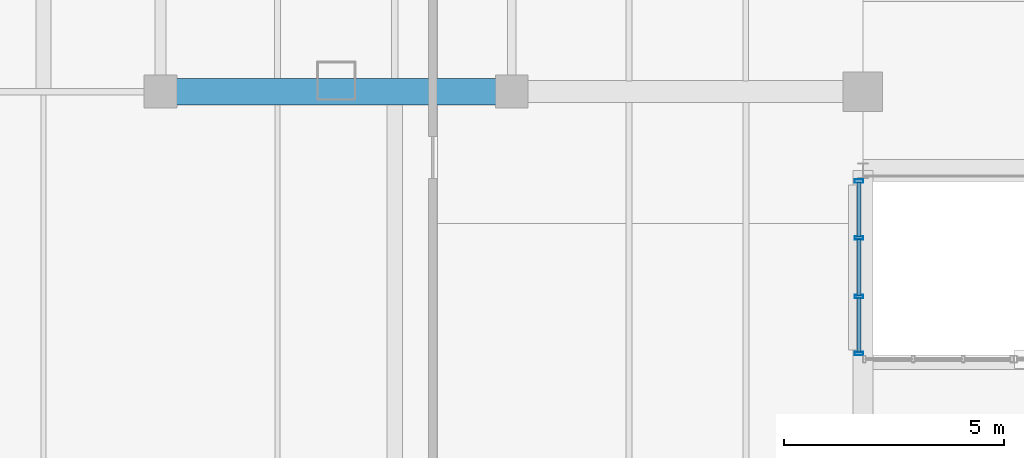
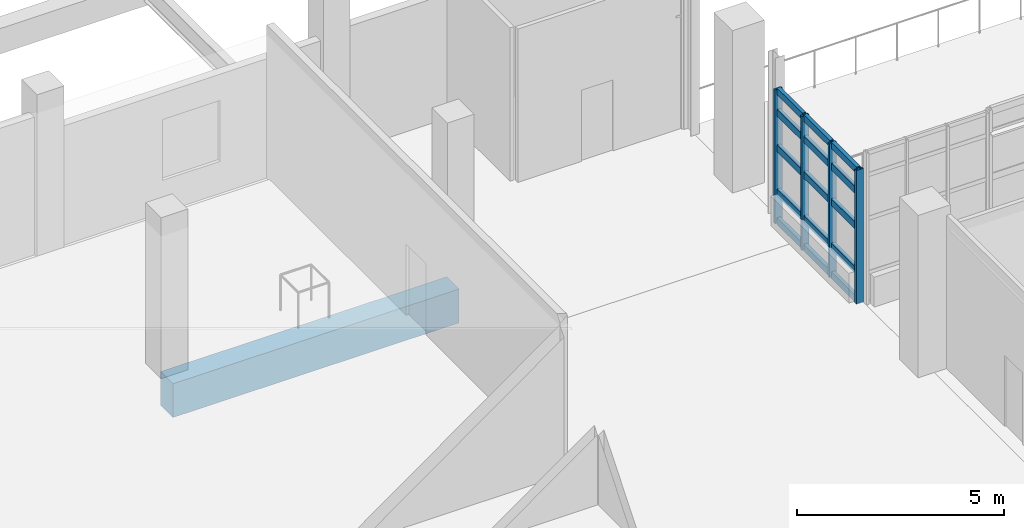
# One storey, part 27 of 127: 19 members, 1 beam, 1 element without a shape of its own.
"""IFC4 building model written with IfcOpenShell, lengths in metres."""

from ifc_helpers import new_model, si_unit, derived_unit, direction, frame, origin, origin_2d, place, context, subcontext, project, spatial, rectangle, hollow_rectangle, extrude, material, layer, layer_set, material_profile, profile_set, type_object, element, aggregate, save


model = new_model("IFC4")

# Units and contexts
model_context = context("Model", 3, precision=1e-05, world=origin(), true_north=direction((0.0, 1.0)))
body_context = subcontext(model_context, "Body", "Model", "MODEL_VIEW")
ifc_project = project(units=[si_unit("LENGTHUNIT", "METRE"), si_unit("AREAUNIT", "SQUARE_METRE"), si_unit("VOLUMEUNIT", "CUBIC_METRE"), si_unit("PLANEANGLEUNIT", "RADIAN"), si_unit("MASSUNIT", "GRAM", prefix="KILO"), derived_unit("THERMALTRANSMITTANCEUNIT", [(si_unit("POWERUNIT", "WATT"), 1), (si_unit("LENGTHUNIT", "METRE"), -2), (si_unit("THERMODYNAMICTEMPERATUREUNIT", "KELVIN"), -1)])], contexts=[model_context])

# Site, building, storey
site_placement = place(None, origin())
site = spatial("IfcSite", under=ifc_project, at=site_placement, CompositionType="ELEMENT")
building_placement = place(site_placement, origin())
building = spatial("IfcBuilding", under=site, at=building_placement, Name="Nallur Shell Playhouse", CompositionType="ELEMENT")
storey_placement = place(building_placement, frame((0.0, 0.0, 5.39990234375)))
storey = spatial("IfcBuildingStorey", under=building, at=storey_placement, Name="L02", CompositionType="ELEMENT", Elevation=5.39990234375)

# Beam
ifc_material_1 = material(Name="Concrete M40", Category="concrete")
ifc_material_profile_1 = material_profile(ifc_material_1, rectangle(XDim=0.60009765625, YDim=1.0, at=origin_2d()), Name="RC 600x1000")
ifc_profile_set_1 = profile_set([ifc_material_profile_1], Name="Concrete M40")
beam_type = type_object("IfcBeamType", Name="BM-RC-600x1000", PredefinedType="BEAM", material=ifc_profile_set_1)
beam_placement = place(storey_placement, frame((24.0, 50.0, -0.77978515625), z_axis=(1.0, 0.0, 0.0), x_axis=(0.0, 1.0, 0.0)))
element("IfcBeam", 1, at=beam_placement, inside=storey, type_object=beam_type, Name="L02 girder X-F-348", PredefinedType="BEAM", context=body_context, shape_type="SweptSolid", body=[
    extrude(rectangle(XDim=0.60009765625, YDim=1.0, at=origin_2d()), origin(), (0.0, 0.0, 1.0), 8.0),
])

# Curtain wall, members
ifc_material_2 = material(Name="Anodised Aluminium Double-Glazed Facade System", Category="aluminium")
ifc_layer = layer(ifc_material_2, 0.159912109375)
ifc_layer_set = layer_set([ifc_layer], Name="Anodised Aluminium Double-Glazed Facade System")
curtain_wall_type = type_object("IfcCurtainWallType", Name="CW-UNIT-06", PredefinedType="NOTDEFINED", material=ifc_layer_set)
curtain_wall_placement = place(storey_placement, origin())
curtain_wall = element("IfcCurtainWall", 2, at=curtain_wall_placement, inside=storey, type_object=curtain_wall_type, Name="Unitised curtain wall CW-006 (L02)", PredefinedType="NOTDEFINED")
ifc_material_3 = material(Name="Aluminium Alloy 6063-T6 Mullion", Category="aluminium")
ifc_material_profile_2 = material_profile(ifc_material_3, hollow_rectangle(XDim=0.074951171875, YDim=0.199951171875, WallThickness=0.0048828125, at=origin_2d()), Name="ALU 75x200x5")
ifc_profile_set_2 = profile_set([ifc_material_profile_2], Name="Aluminium Alloy 6063-T6 Mullion")
member_type_1 = type_object("IfcMemberType", Name="MB-CW-MUL180", PredefinedType="MULLION", material=ifc_profile_set_2)
member_1_placement = place(storey_placement, frame((39.909912109375, 47.96240234375, -0.014892578125), z_axis=(0.0, 0.0, 1.0), x_axis=(0.0, -1.0, 0.0)))
member_1 = element("IfcMember", 3, at=member_1_placement, type_object=member_type_1, Name="CW-06 mullion 1", PredefinedType="MULLION", context=body_context, shape_type="SweptSolid", body=[
    extrude(hollow_rectangle(XDim=0.074951171875, YDim=0.199951171875, WallThickness=0.0048828125, at=origin_2d()), origin(), (0.0, 0.0, 1.0), 3.9541015625),
])
member_2_placement = place(storey_placement, frame((39.909912109375, 46.666748046875, -0.014892578125), z_axis=(0.0, 0.0, 1.0), x_axis=(0.0, -1.0, 0.0)))
member_2 = element("IfcMember", 4, at=member_2_placement, type_object=member_type_1, Name="CW-06 mullion 2", PredefinedType="MULLION", context=body_context, shape_type="SweptSolid", body=[
    extrude(hollow_rectangle(XDim=0.074951171875, YDim=0.199951171875, WallThickness=0.0048828125, at=origin_2d()), origin(), (0.0, 0.0, 1.0), 3.9541015625),
])
member_3_placement = place(storey_placement, frame((39.909912109375, 45.333251953125, -0.014892578125), z_axis=(0.0, 0.0, 1.0), x_axis=(0.0, -1.0, 0.0)))
member_3 = element("IfcMember", 5, at=member_3_placement, type_object=member_type_1, Name="CW-06 mullion 3", PredefinedType="MULLION", context=body_context, shape_type="SweptSolid", body=[
    extrude(hollow_rectangle(XDim=0.074951171875, YDim=0.199951171875, WallThickness=0.0048828125, at=origin_2d()), origin(), (0.0, 0.0, 1.0), 3.9541015625),
])
member_4_placement = place(storey_placement, frame((39.909912109375, 44.03759765625, -0.014892578125), z_axis=(0.0, 0.0, 1.0), x_axis=(0.0, -1.0, 0.0)))
member_4 = element("IfcMember", 6, at=member_4_placement, type_object=member_type_1, Name="CW-06 mullion 4", PredefinedType="MULLION", context=body_context, shape_type="SweptSolid", body=[
    extrude(hollow_rectangle(XDim=0.074951171875, YDim=0.199951171875, WallThickness=0.0048828125, at=origin_2d()), origin(), (0.0, 0.0, 1.0), 3.9541015625),
])
ifc_material_4 = material(Name="Aluminium Alloy 6063-T6 Transom", Category="aluminium")
ifc_material_profile_3 = material_profile(ifc_material_4, hollow_rectangle(XDim=0.10009765625, YDim=0.199951171875, WallThickness=0.008056640625, at=origin_2d()), Name="RHS 200x100x8")
ifc_profile_set_3 = profile_set([ifc_material_profile_3], Name="Aluminium Alloy 6063-T6 Transom")
member_type_2 = type_object("IfcMemberType", Name="MB-CW-TRN140", PredefinedType="USERDEFINED", material=ifc_profile_set_3)
member_5_placement = place(storey_placement, frame((39.909912109375, 47.93310546875, 0.050048828125), z_axis=(0.0, -1.0, 0.0), x_axis=(1.0, 0.0, 0.0)))
member_5 = element("IfcMember", 7, at=member_5_placement, type_object=member_type_2, Name="CW-06 transom 1.1", ObjectType="TRANSOM", PredefinedType="USERDEFINED", context=body_context, shape_type="SweptSolid", body=[
    extrude(hollow_rectangle(XDim=0.10009765625, YDim=0.199951171875, WallThickness=0.008056640625, at=origin_2d()), origin(), (0.0, 0.0, 1.0), 1.237060546875),
])
member_6_placement = place(storey_placement, frame((39.909912109375, 47.93310546875, 0.900146484375), z_axis=(0.0, -1.0, 0.0), x_axis=(1.0, 0.0, 0.0)))
member_6 = element("IfcMember", 8, at=member_6_placement, type_object=member_type_2, Name="CW-06 transom 1.2", ObjectType="TRANSOM", PredefinedType="USERDEFINED", context=body_context, shape_type="SweptSolid", body=[
    extrude(hollow_rectangle(XDim=0.10009765625, YDim=0.199951171875, WallThickness=0.008056640625, at=origin_2d()), origin(), (0.0, 0.0, 1.0), 1.237060546875),
])
member_7_placement = place(storey_placement, frame((39.909912109375, 47.93310546875, 2.2041015625), z_axis=(0.0, -1.0, 0.0), x_axis=(1.0, 0.0, 0.0)))
member_7 = element("IfcMember", 9, at=member_7_placement, type_object=member_type_2, Name="CW-06 transom 1.3", ObjectType="TRANSOM", PredefinedType="USERDEFINED", context=body_context, shape_type="SweptSolid", body=[
    extrude(hollow_rectangle(XDim=0.10009765625, YDim=0.199951171875, WallThickness=0.008056640625, at=origin_2d()), origin(), (0.0, 0.0, 1.0), 1.237060546875),
])
member_8_placement = place(storey_placement, frame((39.909912109375, 47.93310546875, 3.255126953125), z_axis=(0.0, -1.0, 0.0), x_axis=(1.0, 0.0, 0.0)))
member_8 = element("IfcMember", 10, at=member_8_placement, type_object=member_type_2, Name="CW-06 transom 1.4", ObjectType="TRANSOM", PredefinedType="USERDEFINED", context=body_context, shape_type="SweptSolid", body=[
    extrude(hollow_rectangle(XDim=0.10009765625, YDim=0.199951171875, WallThickness=0.008056640625, at=origin_2d()), origin(), (0.0, 0.0, 1.0), 1.237060546875),
])
member_9_placement = place(storey_placement, frame((39.909912109375, 47.93310546875, 3.885009765625), z_axis=(0.0, -1.0, 0.0), x_axis=(1.0, 0.0, 0.0)))
member_9 = element("IfcMember", 11, at=member_9_placement, type_object=member_type_2, Name="CW-06 transom 1.5", ObjectType="TRANSOM", PredefinedType="USERDEFINED", context=body_context, shape_type="SweptSolid", body=[
    extrude(hollow_rectangle(XDim=0.10009765625, YDim=0.199951171875, WallThickness=0.008056640625, at=origin_2d()), origin(), (0.0, 0.0, 1.0), 1.237060546875),
])
member_10_placement = place(storey_placement, frame((39.909912109375, 46.63720703125, 0.050048828125), z_axis=(0.0, -1.0, 0.0), x_axis=(1.0, 0.0, 0.0)))
member_10 = element("IfcMember", 12, at=member_10_placement, type_object=member_type_2, Name="CW-06 transom 2.1", ObjectType="TRANSOM", PredefinedType="USERDEFINED", context=body_context, shape_type="SweptSolid", body=[
    extrude(hollow_rectangle(XDim=0.10009765625, YDim=0.199951171875, WallThickness=0.008056640625, at=origin_2d()), origin(), (0.0, 0.0, 1.0), 1.2744140625),
])
member_11_placement = place(storey_placement, frame((39.909912109375, 46.63720703125, 0.900146484375), z_axis=(0.0, -1.0, 0.0), x_axis=(1.0, 0.0, 0.0)))
member_11 = element("IfcMember", 13, at=member_11_placement, type_object=member_type_2, Name="CW-06 transom 2.2", ObjectType="TRANSOM", PredefinedType="USERDEFINED", context=body_context, shape_type="SweptSolid", body=[
    extrude(hollow_rectangle(XDim=0.10009765625, YDim=0.199951171875, WallThickness=0.008056640625, at=origin_2d()), origin(), (0.0, 0.0, 1.0), 1.2744140625),
])
member_12_placement = place(storey_placement, frame((39.909912109375, 46.63720703125, 2.2041015625), z_axis=(0.0, -1.0, 0.0), x_axis=(1.0, 0.0, 0.0)))
member_12 = element("IfcMember", 14, at=member_12_placement, type_object=member_type_2, Name="CW-06 transom 2.3", ObjectType="TRANSOM", PredefinedType="USERDEFINED", context=body_context, shape_type="SweptSolid", body=[
    extrude(hollow_rectangle(XDim=0.10009765625, YDim=0.199951171875, WallThickness=0.008056640625, at=origin_2d()), origin(), (0.0, 0.0, 1.0), 1.2744140625),
])
member_13_placement = place(storey_placement, frame((39.909912109375, 46.63720703125, 3.255126953125), z_axis=(0.0, -1.0, 0.0), x_axis=(1.0, 0.0, 0.0)))
member_13 = element("IfcMember", 15, at=member_13_placement, type_object=member_type_2, Name="CW-06 transom 2.4", ObjectType="TRANSOM", PredefinedType="USERDEFINED", context=body_context, shape_type="SweptSolid", body=[
    extrude(hollow_rectangle(XDim=0.10009765625, YDim=0.199951171875, WallThickness=0.008056640625, at=origin_2d()), origin(), (0.0, 0.0, 1.0), 1.2744140625),
])
member_14_placement = place(storey_placement, frame((39.909912109375, 46.63720703125, 3.885009765625), z_axis=(0.0, -1.0, 0.0), x_axis=(1.0, 0.0, 0.0)))
member_14 = element("IfcMember", 16, at=member_14_placement, type_object=member_type_2, Name="CW-06 transom 2.5", ObjectType="TRANSOM", PredefinedType="USERDEFINED", context=body_context, shape_type="SweptSolid", body=[
    extrude(hollow_rectangle(XDim=0.10009765625, YDim=0.199951171875, WallThickness=0.008056640625, at=origin_2d()), origin(), (0.0, 0.0, 1.0), 1.2744140625),
])
member_15_placement = place(storey_placement, frame((39.909912109375, 45.303955078125, 0.050048828125), z_axis=(0.0, -1.0, 0.0), x_axis=(1.0, 0.0, 0.0)))
member_15 = element("IfcMember", 17, at=member_15_placement, type_object=member_type_2, Name="CW-06 transom 3.1", ObjectType="TRANSOM", PredefinedType="USERDEFINED", context=body_context, shape_type="SweptSolid", body=[
    extrude(hollow_rectangle(XDim=0.10009765625, YDim=0.199951171875, WallThickness=0.008056640625, at=origin_2d()), origin(), (0.0, 0.0, 1.0), 1.237060546875),
])
member_16_placement = place(storey_placement, frame((39.909912109375, 45.303955078125, 0.900146484375), z_axis=(0.0, -1.0, 0.0), x_axis=(1.0, 0.0, 0.0)))
member_16 = element("IfcMember", 18, at=member_16_placement, type_object=member_type_2, Name="CW-06 transom 3.2", ObjectType="TRANSOM", PredefinedType="USERDEFINED", context=body_context, shape_type="SweptSolid", body=[
    extrude(hollow_rectangle(XDim=0.10009765625, YDim=0.199951171875, WallThickness=0.008056640625, at=origin_2d()), origin(), (0.0, 0.0, 1.0), 1.237060546875),
])
member_17_placement = place(storey_placement, frame((39.909912109375, 45.303955078125, 2.2041015625), z_axis=(0.0, -1.0, 0.0), x_axis=(1.0, 0.0, 0.0)))
member_17 = element("IfcMember", 19, at=member_17_placement, type_object=member_type_2, Name="CW-06 transom 3.3", ObjectType="TRANSOM", PredefinedType="USERDEFINED", context=body_context, shape_type="SweptSolid", body=[
    extrude(hollow_rectangle(XDim=0.10009765625, YDim=0.199951171875, WallThickness=0.008056640625, at=origin_2d()), origin(), (0.0, 0.0, 1.0), 1.237060546875),
])
member_18_placement = place(storey_placement, frame((39.909912109375, 45.303955078125, 3.255126953125), z_axis=(0.0, -1.0, 0.0), x_axis=(1.0, 0.0, 0.0)))
member_18 = element("IfcMember", 20, at=member_18_placement, type_object=member_type_2, Name="CW-06 transom 3.4", ObjectType="TRANSOM", PredefinedType="USERDEFINED", context=body_context, shape_type="SweptSolid", body=[
    extrude(hollow_rectangle(XDim=0.10009765625, YDim=0.199951171875, WallThickness=0.008056640625, at=origin_2d()), origin(), (0.0, 0.0, 1.0), 1.237060546875),
])
member_19_placement = place(storey_placement, frame((39.909912109375, 45.303955078125, 3.885009765625), z_axis=(0.0, -1.0, 0.0), x_axis=(1.0, 0.0, 0.0)))
member_19 = element("IfcMember", 21, at=member_19_placement, type_object=member_type_2, Name="CW-06 transom 3.5", ObjectType="TRANSOM", PredefinedType="USERDEFINED", context=body_context, shape_type="SweptSolid", body=[
    extrude(hollow_rectangle(XDim=0.10009765625, YDim=0.199951171875, WallThickness=0.008056640625, at=origin_2d()), origin(), (0.0, 0.0, 1.0), 1.237060546875),
])
aggregate(curtain_wall, [member_1, member_2, member_3, member_4, member_5, member_6, member_7, member_8, member_9, member_10, member_11, member_12, member_13, member_14, member_15, member_16, member_17, member_18, member_19])

save(model, "model.ifc")
